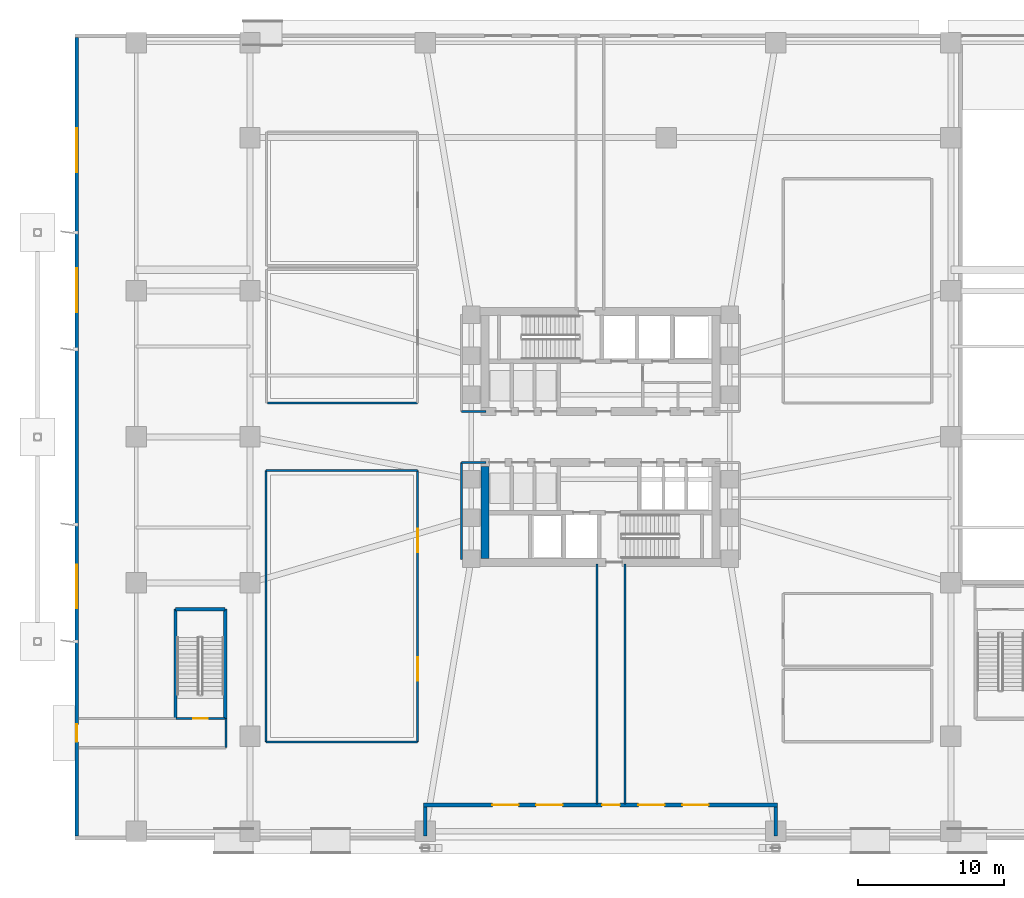
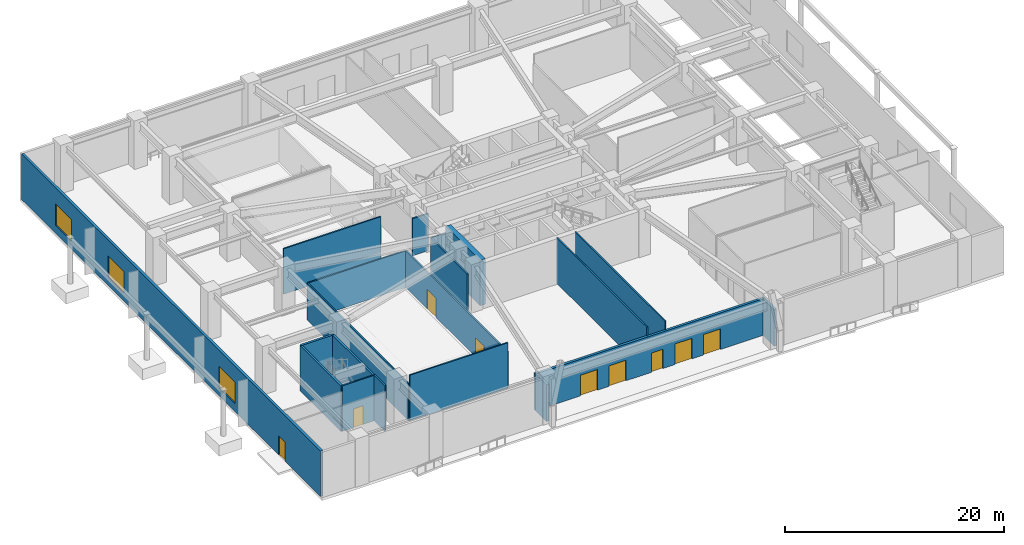
# One storey, part 11 of 20: 20 walls, 9 doors, 3 windows, 12 openings.
"""IFC4 building model written with IfcOpenShell, lengths in metres."""

import ifcopenshell
import ifcopenshell.guid

model = None  # the IFC model being written
_history = None  # IfcOwnerHistory: only IFC2X3 demands one
_inside = {}  # id of a spatial element -> (the spatial element, [elements in it])
_under = {}  # id of a project, library or spatial element -> (it, [spatial elements below it])
_declared = {}  # id of a project -> (the project, [libraries it declares])
_typed = {}  # id of a type object -> (the type object, [elements of that type])
_made_of = {}  # id of a material, layer set ... -> (it, [elements and type objects made of it])


def new_model(schema):
    """Start an empty IFC model of exactly this schema.

    Asked for "IFC4X3", IfcOpenShell would pick the latest addendum, in which some entities
    have other attributes; the version numbers below select the first issue.
    IFC2X3 requires an IfcOwnerHistory on every rooted entity: one is made here for all.
    """
    global model, _history
    if schema == "IFC4X3":
        model = ifcopenshell.file(schema_version=(4, 3, 0, 0))
    else:
        model = ifcopenshell.file(schema=schema)
    _inside.clear()
    _under.clear()
    _declared.clear()
    _typed.clear()
    _made_of.clear()
    _history = None
    if model.schema == "IFC2X3":
        org = make("IfcOrganization", Name="unknown")
        user = make(
            "IfcPersonAndOrganization",
            ThePerson=make("IfcPerson", FamilyName="unknown"),
            TheOrganization=org,
        )
        app = make(
            "IfcApplication",
            ApplicationDeveloper=org,
            Version="unknown",
            ApplicationFullName="unknown",
            ApplicationIdentifier="unknown",
        )
        _history = make(
            "IfcOwnerHistory",
            OwningUser=user,
            OwningApplication=app,
            ChangeAction="ADDED",
            CreationDate=0,
        )
    return model


def make(cls, **values):
    """One entity of the class cls with the attributes given. An attribute that is None is left unset."""
    return model.create_entity(
        cls, **{name: value for name, value in values.items() if value is not None}
    )


def rooted(cls, **values):
    """An entity with a GlobalId (a new one), such as an element, a storey or a relation."""
    return make(cls, GlobalId=ifcopenshell.guid.new(), OwnerHistory=_history, **values)


def si_unit(unit_type, name, prefix=None):
    """IfcSIUnit, for example si_unit("LENGTHUNIT", "METRE", prefix="MILLI")."""
    return make("IfcSIUnit", UnitType=unit_type, Prefix=prefix, Name=name)


def assignment(units):
    """IfcUnitAssignment: the units of a project."""
    return None if units is None else make("IfcUnitAssignment", Units=units)


def point(xyz):
    """IfcCartesianPoint."""
    return None if xyz is None else make("IfcCartesianPoint", Coordinates=xyz)


def direction(xyz):
    """IfcDirection."""
    return None if xyz is None else make("IfcDirection", DirectionRatios=xyz)


def frame(location, z_axis=None, x_axis=None):
    """IfcAxis2Placement3D, a coordinate frame: its origin and axes. An axis left out is left unset."""
    return make(
        "IfcAxis2Placement3D",
        Location=point(location),
        Axis=direction(z_axis),
        RefDirection=direction(x_axis),
    )


def frame_2d(location, x_axis=None):
    """IfcAxis2Placement2D, a coordinate frame in the plane: its origin and x axis."""
    return make(
        "IfcAxis2Placement2D", Location=point(location), RefDirection=direction(x_axis)
    )


def origin():
    """The frame at (0, 0, 0) with its axes left unset."""
    return frame((0.0, 0.0, 0.0))


def place(relative_to, where):
    """IfcLocalPlacement: puts the frame where relative to a parent placement (None: the world)."""
    return make(
        "IfcLocalPlacement", PlacementRelTo=relative_to, RelativePlacement=where
    )


def context(
    kind, dimensions, precision=None, world=None, true_north=None, identifier=None
):
    """IfcGeometricRepresentationContext, for example the 3D "Model" context."""
    return make(
        "IfcGeometricRepresentationContext",
        ContextIdentifier=identifier,
        ContextType=kind,
        CoordinateSpaceDimension=dimensions,
        Precision=precision,
        WorldCoordinateSystem=world,
        TrueNorth=true_north,
    )


def subcontext(parent, identifier, kind, view, scale=None):
    """IfcGeometricRepresentationSubContext, for example "Body" below "Model"."""
    return make(
        "IfcGeometricRepresentationSubContext",
        ContextIdentifier=identifier,
        ContextType=kind,
        ParentContext=parent,
        TargetScale=scale,
        TargetView=view,
    )


def project(units=None, contexts=None):
    """IfcProject with its units and contexts."""
    return rooted(
        "IfcProject",
        Name="project",
        RepresentationContexts=contexts,
        UnitsInContext=assignment(units),
    )


def spatial(cls, under=None, at=None, **own):
    """A site, building, storey or space (cls), placed at a placement, below another one or the project."""
    s = rooted(cls, ObjectPlacement=at, **own)
    if under is not None:
        _under.setdefault(under.id(), (under, []))[1].append(s)
    return s


def profile(cls, at=None, kind="AREA", **sizes):
    """A parametric profile (cls). Its sizes go by their IFC names, for example OverallWidth=200.0."""
    return make(cls, ProfileType=kind, Position=at, **sizes)


def rectangle(**sizes):
    """IfcRectangleProfileDef."""
    return profile("IfcRectangleProfileDef", **sizes)


def extrude(swept, where, along, depth):
    """IfcExtrudedAreaSolid: the profile swept, set in the frame where, extruded along a direction by depth."""
    return make(
        "IfcExtrudedAreaSolid",
        SweptArea=swept,
        Position=where,
        ExtrudedDirection=direction(along),
        Depth=depth,
    )


def shape(context_of_items, identifier, shape_type, items):
    """IfcShapeRepresentation: the items that make up one representation, for example the "Body"."""
    return make(
        "IfcShapeRepresentation",
        ContextOfItems=context_of_items,
        RepresentationIdentifier=identifier,
        RepresentationType=shape_type,
        Items=items,
    )


def material(Name=None, Category=None):
    """IfcMaterial."""
    return make("IfcMaterial", Name=Name, Category=Category)


def layer(
    of_material, thickness, ventilated=None, Name=None, Category=None, Priority=None
):
    """IfcMaterialLayer: one layer of a wall or slab, of a material (None: an air gap)."""
    return make(
        "IfcMaterialLayer",
        Material=of_material,
        LayerThickness=thickness,
        IsVentilated=ventilated,
        Name=Name,
        Category=Category,
        Priority=Priority,
    )


def layer_set(layers, Name=None):
    """IfcMaterialLayerSet."""
    return make("IfcMaterialLayerSet", MaterialLayers=layers, LayerSetName=Name)


def made_of(thing, what):
    """Note that an element or type object is made of a material, layer set ...; save() writes the relation."""
    if what is not None:
        _made_of.setdefault(what.id(), (what, []))[1].append(thing)
    return thing


def type_object(cls, material=None, **own):
    """A type object (cls), such as IfcWallType, which elements share."""
    return made_of(rooted(cls, **own), material)


def element(
    cls,
    number,
    at=None,
    inside=None,
    cuts=None,
    type_object=None,
    material=None,
    context=None,
    identifier="Body",
    shape_type=None,
    held_by="IfcProductDefinitionShape",
    body=None,
    shapes=None,
    **own,
):
    """One element of the class cls, such as IfcWall. Its Tag is "e" and its number.

    at: its placement. inside: the storey or other place that contains it. cuts: it is an
    opening in that element (IfcRelVoidsElement). A single representation is given by context,
    identifier, shape_type and body (its items); several are given by shapes. held_by: the class
    of the entity that holds the representations. save() writes the other relations.
    """
    e = rooted(cls, Tag="e%d" % number, ObjectPlacement=at, **own)
    if body is not None:
        shapes = [shape(context, identifier, shape_type, body)]
    if shapes is not None:
        e.Representation = make(held_by, Representations=shapes)
    if inside is not None:
        _inside.setdefault(inside.id(), (inside, []))[1].append(e)
    if cuts is not None:
        rooted(
            "IfcRelVoidsElement", RelatingBuildingElement=cuts, RelatedOpeningElement=e
        )
    if type_object is not None:
        _typed.setdefault(type_object.id(), (type_object, []))[1].append(e)
    return made_of(e, material)


def fill(opening, filler):
    """IfcRelFillsElement: the door or window that sits in an opening."""
    return rooted(
        "IfcRelFillsElement",
        RelatingOpeningElement=opening,
        RelatedBuildingElement=filler,
    )


def aggregate(whole, parts):
    """IfcRelAggregates: a whole, such as a stair, and the parts it consists of."""
    return rooted("IfcRelAggregates", RelatingObject=whole, RelatedObjects=parts)


def save(model, path):
    """Write the relations noted so far, then the file.

    IfcRelAggregates (storeys below a building ...), IfcRelContainedInSpatialStructure (elements
    in a storey), IfcRelDefinesByType, IfcRelAssociatesMaterial and IfcRelDeclares: one each for
    every whole, place, type object, material and project.
    """
    for whole, parts in _under.values():
        aggregate(whole, parts)
    for where, things in _inside.values():
        rooted(
            "IfcRelContainedInSpatialStructure",
            RelatedElements=things,
            RelatingStructure=where,
        )
    for kind, things in _typed.values():
        rooted("IfcRelDefinesByType", RelatedObjects=things, RelatingType=kind)
    for what, things in _made_of.values():
        rooted("IfcRelAssociatesMaterial", RelatedObjects=things, RelatingMaterial=what)
    for by, libraries in _declared.values():
        rooted("IfcRelDeclares", RelatingContext=by, RelatedDefinitions=libraries)
    model.write(path)


model = new_model("IFC4")

# Units and contexts
model_context = context("Model", 3, precision=1e-05, world=origin(), true_north=direction((0.0, 1.0)))
body_context = subcontext(model_context, "Body", "Model", "MODEL_VIEW")
ifc_project = project(units=[si_unit("LENGTHUNIT", "METRE"), si_unit("AREAUNIT", "SQUARE_METRE"), si_unit("VOLUMEUNIT", "CUBIC_METRE"), si_unit("PLANEANGLEUNIT", "RADIAN"), si_unit("MASSUNIT", "GRAM", prefix="KILO")], contexts=[model_context])

# Site, building, storey
site_placement = place(None, origin())
site = spatial("IfcSite", under=ifc_project, at=site_placement, CompositionType="ELEMENT")
building_placement = place(site_placement, origin())
building = spatial("IfcBuilding", under=site, at=building_placement, Name="Solmarez Civic Tower", CompositionType="ELEMENT")
storey_placement = place(building_placement, origin())
storey = spatial("IfcBuildingStorey", under=building, at=storey_placement, Name="L00", CompositionType="ELEMENT", Elevation=0.0)

# Wall
ifc_material_1 = material(Name="Concrete C60/75", Category="concrete")
ifc_layer_1 = layer(ifc_material_1, 0.550048828125)
ifc_layer_set_1 = layer_set([ifc_layer_1], Name="Concrete C60/75")
wall_type_1 = type_object("IfcWallType", Name="WALL-CORE-550", PredefinedType="SHEAR", material=ifc_layer_set_1)
wall_1_placement = place(storey_placement, frame((-7.89501953125, -8.31005859375, 0.0), z_axis=(0.0, 0.0, 1.0), x_axis=(0.0, 1.0, 0.0)))
element("IfcWall", 1, at=wall_1_placement, inside=storey, type_object=wall_type_1, Name="L00 Split-Core Structural Wall SCW-W-L00", PredefinedType="SHEAR", context=body_context, shape_type="SweptSolid", body=[
    extrude(rectangle(XDim=6.28515625, YDim=0.550048828125, at=frame_2d((3.142578125, 0.0))), origin(), (0.0, 0.0, 1.0), 5.080078125),
])

# Wall, openings, door, windows
ifc_material_2 = material(Name="Precast concrete C40/50", Category="concrete")
ifc_layer_2 = layer(ifc_material_2, 0.260009765625)
ifc_layer_set_2 = layer_set([ifc_layer_2], Name="Precast concrete C40/50")
wall_type_2 = type_object("IfcWallType", Name="WALL-EXT-260", PredefinedType="SOLIDWALL", material=ifc_layer_set_2)
wall_2_placement = place(storey_placement, frame((-35.8701171875, -27.340087890625, 0.0), z_axis=(0.0, 0.0, 1.0), x_axis=(0.0, 1.0, 0.0)))
wall_2 = element("IfcWall", 2, at=wall_2_placement, inside=storey, type_object=wall_type_2, Name="L00 West Exterior Precast Wall", PredefinedType="SOLIDWALL", context=body_context, shape_type="SweptSolid", body=[
    extrude(rectangle(XDim=54.68017578125, YDim=0.260009765625, at=frame_2d((27.340087890625, 0.0))), origin(), (0.0, 0.0, 1.0), 5.080078125),
])
opening_1_placement = place(wall_2_placement, frame((6.4599609375, 0.0, 0.0)))
opening_1 = element("IfcOpeningElement", 3, at=opening_1_placement, cuts=wall_2, Name="Opening D-03", PredefinedType="OPENING", context=body_context, shape_type="SweptSolid", body=[
    extrude(rectangle(XDim=1.199951171875, YDim=2.14990234375, at=frame_2d((0.60009765625, 1.074951171875))), frame((0.0, 0.139892578125, 0.0), z_axis=(0.0, -1.0, 0.0), x_axis=(1.0, 0.0, 0.0)), (0.0, 0.0, 1.0), 0.280029296875),
])
opening_2_placement = place(wall_2_placement, frame((15.60009765625, 0.0, 0.89990234375)))
opening_2 = element("IfcOpeningElement", 4, at=opening_2_placement, cuts=wall_2, Name="Opening W-15", PredefinedType="OPENING", context=body_context, shape_type="SweptSolid", body=[
    extrude(rectangle(XDim=3.0, YDim=2.39990234375, at=frame_2d((1.5, 1.199951171875))), frame((0.0, 0.139892578125, 0.0), z_axis=(0.0, -1.0, 0.0), x_axis=(1.0, 0.0, 0.0)), (0.0, 0.0, 1.0), 0.280029296875),
])
opening_3_placement = place(wall_2_placement, frame((35.8798828125, 0.0, 0.89990234375)))
opening_3 = element("IfcOpeningElement", 5, at=opening_3_placement, cuts=wall_2, Name="Opening W-15", PredefinedType="OPENING", context=body_context, shape_type="SweptSolid", body=[
    extrude(rectangle(XDim=3.0, YDim=2.39990234375, at=frame_2d((1.5, 1.199951171875))), frame((0.0, 0.139892578125, 0.0), z_axis=(0.0, -1.0, 0.0), x_axis=(1.0, 0.0, 0.0)), (0.0, 0.0, 1.0), 0.280029296875),
])
opening_4_placement = place(wall_2_placement, frame((45.47998046875, 0.0, 0.89990234375)))
opening_4 = element("IfcOpeningElement", 6, at=opening_4_placement, cuts=wall_2, Name="Opening W-15", PredefinedType="OPENING", context=body_context, shape_type="SweptSolid", body=[
    extrude(rectangle(XDim=3.0, YDim=2.39990234375, at=frame_2d((1.5, 1.199951171875))), frame((0.0, 0.139892578125, 0.0), z_axis=(0.0, -1.0, 0.0), x_axis=(1.0, 0.0, 0.0)), (0.0, 0.0, 1.0), 0.280029296875),
])
ifc_material_3 = material(Name="Stainless Steel Fire Exit Door", Category="steel")
door_type_1 = type_object("IfcDoorType", Name="DOOR-EXIT-1200", OperationType="NOTDEFINED", PredefinedType="DOOR", material=ifc_material_3)
door_1_placement = place(opening_1_placement, origin())
door_1 = element("IfcDoor", 7, at=door_1_placement, inside=storey, type_object=door_type_1, Name="L00 West Stair Final Exit Door", OperationType="SINGLE_SWING_LEFT", OverallHeight=2.14990234375, OverallWidth=1.199951171875, PredefinedType="DOOR", context=body_context, shape_type="SweptSolid", body=[
    extrude(rectangle(XDim=1.199951171875, YDim=2.14990234375, at=frame_2d((0.60009765625, 1.074951171875))), frame((0.0, 0.02490234375, 0.0), z_axis=(0.0, -1.0, 0.0), x_axis=(1.0, 0.0, 0.0)), (0.0, 0.0, 1.0), 0.050048828125),
])
fill(opening_1, door_1)
ifc_material_4 = material(Name="Solar Control Bronze-Tinted Insulating Glass", Category="glass")
window_type = type_object("IfcWindowType", Name="WIN-3000X2400", PartitioningType="SINGLE_PANEL", PredefinedType="WINDOW", material=ifc_material_4)
window_1_placement = place(opening_2_placement, origin())
window_1 = element("IfcWindow", 8, at=window_1_placement, inside=storey, type_object=window_type, Name="L00 Podium Facade Window 2", OverallHeight=2.39990234375, OverallWidth=3.0, PartitioningType="SINGLE_PANEL", PredefinedType="WINDOW", context=body_context, shape_type="SweptSolid", body=[
    extrude(rectangle(XDim=3.0, YDim=2.39990234375, at=frame_2d((1.5, 1.199951171875))), frame((0.0, 0.030029296875, 0.0), z_axis=(0.0, -1.0, 0.0), x_axis=(1.0, 0.0, 0.0)), (0.0, 0.0, 1.0), 0.06005859375),
])
fill(opening_2, window_1)
window_2_placement = place(opening_3_placement, origin())
window_2 = element("IfcWindow", 9, at=window_2_placement, inside=storey, type_object=window_type, Name="L00 Podium Facade Window 3", OverallHeight=2.39990234375, OverallWidth=3.0, PartitioningType="SINGLE_PANEL", PredefinedType="WINDOW", context=body_context, shape_type="SweptSolid", body=[
    extrude(rectangle(XDim=3.0, YDim=2.39990234375, at=frame_2d((1.5, 1.199951171875))), frame((0.0, 0.030029296875, 0.0), z_axis=(0.0, -1.0, 0.0), x_axis=(1.0, 0.0, 0.0)), (0.0, 0.0, 1.0), 0.06005859375),
])
fill(opening_3, window_2)
window_3_placement = place(opening_4_placement, origin())
window_3 = element("IfcWindow", 10, at=window_3_placement, inside=storey, type_object=window_type, Name="L00 Podium Facade Window 4", OverallHeight=2.39990234375, OverallWidth=3.0, PartitioningType="SINGLE_PANEL", PredefinedType="WINDOW", context=body_context, shape_type="SweptSolid", body=[
    extrude(rectangle(XDim=3.0, YDim=2.39990234375, at=frame_2d((1.5, 1.199951171875))), frame((0.0, 0.030029296875, 0.0), z_axis=(0.0, -1.0, 0.0), x_axis=(1.0, 0.0, 0.0)), (0.0, 0.0, 1.0), 0.06005859375),
])
fill(opening_4, window_3)

# Wall
wall_3_placement = place(storey_placement, frame((12.0, -27.340087890625, 0.0), z_axis=(0.0, 0.0, 1.0), x_axis=(0.0, 1.0, 0.0)))
element("IfcWall", 11, at=wall_3_placement, inside=storey, type_object=wall_type_2, Name="L00 South Arch Podium Wall EW-AE-L00", PredefinedType="SOLIDWALL", context=body_context, shape_type="SweptSolid", body=[
    extrude(rectangle(XDim=2.010009765625, YDim=0.260009765625, at=frame_2d((1.0048828125, 0.0))), origin(), (0.0, 0.0, 1.0), 4.090087890625),
])

# Wall, openings, doors
wall_4_placement = place(storey_placement, frame((12.1298828125, -25.199951171875, 0.0), z_axis=(0.0, 0.0, 1.0), x_axis=(-1.0, 0.0, 0.0)))
wall_4 = element("IfcWall", 12, at=wall_4_placement, inside=storey, type_object=wall_type_2, Name="L00 South Arch Podium Wall EW-ARCH-L00", PredefinedType="SOLIDWALL", context=body_context, shape_type="SweptSolid", body=[
    extrude(rectangle(XDim=24.259765625, YDim=0.260009765625, at=frame_2d((12.1298828125, 0.0))), origin(), (0.0, 0.0, 1.0), 4.090087890625),
])
opening_5_placement = place(wall_4_placement, frame((10.81005859375, 0.0, 0.0)))
opening_5 = element("IfcOpeningElement", 13, at=opening_5_placement, cuts=wall_4, Name="Opening D-03", PredefinedType="OPENING", context=body_context, shape_type="SweptSolid", body=[
    extrude(rectangle(XDim=1.199951171875, YDim=2.14990234375, at=frame_2d((0.60009765625, 1.074951171875))), frame((0.0, 0.139892578125, 0.0), z_axis=(0.0, -1.0, 0.0), x_axis=(1.0, 0.0, 0.0)), (0.0, 0.0, 1.0), 0.280029296875),
])
opening_6_placement = place(wall_4_placement, frame((4.72998046875, 0.0, 0.0)))
opening_6 = element("IfcOpeningElement", 14, at=opening_6_placement, cuts=wall_4, Name="Opening D-01", PredefinedType="OPENING", context=body_context, shape_type="SweptSolid", body=[
    extrude(rectangle(XDim=1.800048828125, YDim=2.300048828125, at=frame_2d((0.89990234375, 1.14990234375))), frame((0.0, 0.139892578125, 0.0), z_axis=(0.0, -1.0, 0.0), x_axis=(1.0, 0.0, 0.0)), (0.0, 0.0, 1.0), 0.280029296875),
])
opening_7_placement = place(wall_4_placement, frame((7.72998046875, 0.0, 0.0)))
opening_7 = element("IfcOpeningElement", 15, at=opening_7_placement, cuts=wall_4, Name="Opening D-01", PredefinedType="OPENING", context=body_context, shape_type="SweptSolid", body=[
    extrude(rectangle(XDim=1.800048828125, YDim=2.300048828125, at=frame_2d((0.89990234375, 1.14990234375))), frame((0.0, 0.139892578125, 0.0), z_axis=(0.0, -1.0, 0.0), x_axis=(1.0, 0.0, 0.0)), (0.0, 0.0, 1.0), 0.280029296875),
])
opening_8_placement = place(wall_4_placement, frame((14.72998046875, 0.0, 0.0)))
opening_8 = element("IfcOpeningElement", 16, at=opening_8_placement, cuts=wall_4, Name="Opening D-01", PredefinedType="OPENING", context=body_context, shape_type="SweptSolid", body=[
    extrude(rectangle(XDim=1.800048828125, YDim=2.300048828125, at=frame_2d((0.89990234375, 1.14990234375))), frame((0.0, 0.139892578125, 0.0), z_axis=(0.0, -1.0, 0.0), x_axis=(1.0, 0.0, 0.0)), (0.0, 0.0, 1.0), 0.280029296875),
])
opening_9_placement = place(wall_4_placement, frame((17.72998046875, 0.0, 0.0)))
opening_9 = element("IfcOpeningElement", 17, at=opening_9_placement, cuts=wall_4, Name="Opening D-01", PredefinedType="OPENING", context=body_context, shape_type="SweptSolid", body=[
    extrude(rectangle(XDim=1.800048828125, YDim=2.300048828125, at=frame_2d((0.89990234375, 1.14990234375))), frame((0.0, 0.139892578125, 0.0), z_axis=(0.0, -1.0, 0.0), x_axis=(1.0, 0.0, 0.0)), (0.0, 0.0, 1.0), 0.280029296875),
])
door_2_placement = place(opening_5_placement, origin())
door_2 = element("IfcDoor", 18, at=door_2_placement, inside=storey, type_object=door_type_1, Name="L00 South Stair Final Exit Door", OperationType="SINGLE_SWING_RIGHT", OverallHeight=2.14990234375, OverallWidth=1.199951171875, PredefinedType="DOOR", context=body_context, shape_type="SweptSolid", body=[
    extrude(rectangle(XDim=1.199951171875, YDim=2.14990234375, at=frame_2d((0.60009765625, 1.074951171875))), frame((0.0, 0.02490234375, 0.0), z_axis=(0.0, -1.0, 0.0), x_axis=(1.0, 0.0, 0.0)), (0.0, 0.0, 1.0), 0.050048828125),
])
fill(opening_5, door_2)
ifc_material_5 = material(Name="Bronze Anodised Aluminium Glazed Entrance Door", Category="aluminium")
door_type_2 = type_object("IfcDoorType", Name="DOOR-EXT-1800", OperationType="NOTDEFINED", PredefinedType="DOOR", material=ifc_material_5)
door_3_placement = place(opening_6_placement, origin())
door_3 = element("IfcDoor", 19, at=door_3_placement, inside=storey, type_object=door_type_2, Name="L00 South Civic Arch Entrance Door East", OperationType="SINGLE_SWING_LEFT", OverallHeight=2.300048828125, OverallWidth=1.800048828125, PredefinedType="DOOR", context=body_context, shape_type="SweptSolid", body=[
    extrude(rectangle(XDim=1.800048828125, YDim=2.300048828125, at=frame_2d((0.89990234375, 1.14990234375))), frame((0.0, 0.02490234375, 0.0), z_axis=(0.0, -1.0, 0.0), x_axis=(1.0, 0.0, 0.0)), (0.0, 0.0, 1.0), 0.050048828125),
])
fill(opening_6, door_3)
door_4_placement = place(opening_7_placement, origin())
door_4 = element("IfcDoor", 20, at=door_4_placement, inside=storey, type_object=door_type_2, Name="L00 South Civic Arch Central East Exit Door", OperationType="SINGLE_SWING_LEFT", OverallHeight=2.300048828125, OverallWidth=1.800048828125, PredefinedType="DOOR", context=body_context, shape_type="SweptSolid", body=[
    extrude(rectangle(XDim=1.800048828125, YDim=2.300048828125, at=frame_2d((0.89990234375, 1.14990234375))), frame((0.0, 0.02490234375, 0.0), z_axis=(0.0, -1.0, 0.0), x_axis=(1.0, 0.0, 0.0)), (0.0, 0.0, 1.0), 0.050048828125),
])
fill(opening_7, door_4)
door_5_placement = place(opening_8_placement, origin())
door_5 = element("IfcDoor", 21, at=door_5_placement, inside=storey, type_object=door_type_2, Name="L00 South Civic Arch Central West Exit Door", OperationType="SINGLE_SWING_RIGHT", OverallHeight=2.300048828125, OverallWidth=1.800048828125, PredefinedType="DOOR", context=body_context, shape_type="SweptSolid", body=[
    extrude(rectangle(XDim=1.800048828125, YDim=2.300048828125, at=frame_2d((0.89990234375, 1.14990234375))), frame((0.0, 0.02490234375, 0.0), z_axis=(0.0, -1.0, 0.0), x_axis=(1.0, 0.0, 0.0)), (0.0, 0.0, 1.0), 0.050048828125),
])
fill(opening_8, door_5)
door_6_placement = place(opening_9_placement, origin())
door_6 = element("IfcDoor", 22, at=door_6_placement, inside=storey, type_object=door_type_2, Name="L00 South Civic Arch Entrance Door West", OperationType="SINGLE_SWING_RIGHT", OverallHeight=2.300048828125, OverallWidth=1.800048828125, PredefinedType="DOOR", context=body_context, shape_type="SweptSolid", body=[
    extrude(rectangle(XDim=1.800048828125, YDim=2.300048828125, at=frame_2d((0.89990234375, 1.14990234375))), frame((0.0, 0.02490234375, 0.0), z_axis=(0.0, -1.0, 0.0), x_axis=(1.0, 0.0, 0.0)), (0.0, 0.0, 1.0), 0.050048828125),
])
fill(opening_9, door_6)

# Wall
wall_5_placement = place(storey_placement, frame((-12.0, -25.330078125, 0.0), z_axis=(0.0, 0.0, 1.0), x_axis=(0.0, -1.0, 0.0)))
element("IfcWall", 23, at=wall_5_placement, inside=storey, type_object=wall_type_2, Name="L00 South Arch Podium Wall EW-AW-L00", PredefinedType="SOLIDWALL", context=body_context, shape_type="SweptSolid", body=[
    extrude(rectangle(XDim=2.010009765625, YDim=0.260009765625, at=frame_2d((1.0048828125, 0.0))), origin(), (0.0, 0.0, 1.0), 4.090087890625),
])

# Wall, opening, door
ifc_material_6 = material(Name="Gypsum Board Acoustic Steel-Stud Partition", Category="steel")
ifc_layer_3 = layer(ifc_material_6, 0.14990234375)
ifc_layer_set_3 = layer_set([ifc_layer_3], Name="Gypsum Board Acoustic Steel-Stud Partition")
wall_type_3 = type_object("IfcWallType", Name="WALL-INT-FIRE-150", PredefinedType="PARTITIONING", material=ifc_layer_set_3)
wall_6_placement = place(storey_placement, frame((-29.080078125, -19.280029296875, 0.0), z_axis=(0.0, 0.0, 1.0), x_axis=(1.0, 0.0, 0.0)))
wall_6 = element("IfcWall", 24, at=wall_6_placement, inside=storey, type_object=wall_type_3, Name="L00 Podium Exit Stair STP1 Wall", PredefinedType="PARTITIONING", context=body_context, shape_type="SweptSolid", body=[
    extrude(rectangle(XDim=3.360107421875, YDim=0.14990234375, at=frame_2d((1.68017578125, 0.0))), origin(), (0.0, 0.0, 1.0), 5.080078125),
])
opening_10_placement = place(wall_6_placement, frame((1.179931640625, 0.0, 0.0)))
opening_10 = element("IfcOpeningElement", 25, at=opening_10_placement, cuts=wall_6, Name="Opening D-05", PredefinedType="OPENING", context=body_context, shape_type="SweptSolid", body=[
    extrude(rectangle(XDim=1.0, YDim=2.10009765625, at=frame_2d((0.5, 1.050048828125))), frame((0.0, 0.0849609375, 0.0), z_axis=(0.0, -1.0, 0.0), x_axis=(1.0, 0.0, 0.0)), (0.0, 0.0, 1.0), 0.169921875),
])
ifc_material_7 = material(Name="Fire-Rated Stairwell Exit Door", Category="wood")
door_type_3 = type_object("IfcDoorType", Name="DOOR-FD90-1000", OperationType="NOTDEFINED", PredefinedType="DOOR", material=ifc_material_7)
door_7_placement = place(opening_10_placement, origin())
door_7 = element("IfcDoor", 26, at=door_7_placement, inside=storey, type_object=door_type_3, Name="L00 Podium Exit Stair STP1 Door", OperationType="SINGLE_SWING_RIGHT", OverallHeight=2.10009765625, OverallWidth=1.0, PredefinedType="DOOR", context=body_context, shape_type="SweptSolid", body=[
    extrude(rectangle(XDim=1.0, YDim=2.10009765625, at=frame_2d((0.5, 1.050048828125))), frame((0.0, 0.02490234375, 0.0), z_axis=(0.0, -1.0, 0.0), x_axis=(1.0, 0.0, 0.0)), (0.0, 0.0, 1.0), 0.050048828125),
])
fill(opening_10, door_7)

# Walls
wall_7_placement = place(storey_placement, frame((-7.85009765625, 1.75, 0.0), z_axis=(0.0, 0.0, 1.0), x_axis=(-1.0, 0.0, 0.0)))
element("IfcWall", 27, at=wall_7_placement, inside=storey, type_object=wall_type_3, Name="L00 Interior Partition CHW-L00-WN3", PredefinedType="PARTITIONING", context=body_context, shape_type="SweptSolid", body=[
    extrude(rectangle(XDim=1.669921875, YDim=0.14990234375, at=frame_2d((0.8349609375, 0.0))), origin(), (0.0, 0.0, 1.0), 4.14501953125),
])
wall_8_placement = place(storey_placement, frame((-9.52001953125, -8.3798828125, 0.0), z_axis=(0.0, 0.0, 1.0), x_axis=(0.0, 1.0, 0.0)))
element("IfcWall", 28, at=wall_8_placement, inside=storey, type_object=wall_type_3, Name="L00 Interior Partition CHW-L00-WS1", PredefinedType="PARTITIONING", context=body_context, shape_type="SweptSolid", body=[
    extrude(rectangle(XDim=6.6298828125, YDim=0.14990234375, at=frame_2d((3.31494140625, 0.0))), origin(), (0.0, 0.0, 1.0), 4.090087890625),
])
wall_9_placement = place(storey_placement, frame((-7.85009765625, -1.75, 0.0), z_axis=(0.0, 0.0, 1.0), x_axis=(-1.0, 0.0, 0.0)))
element("IfcWall", 29, at=wall_9_placement, inside=storey, type_object=wall_type_3, Name="L00 Interior Partition CHW-L00-WS3", PredefinedType="PARTITIONING", context=body_context, shape_type="SweptSolid", body=[
    extrude(rectangle(XDim=1.669921875, YDim=0.14990234375, at=frame_2d((0.8349609375, 0.0))), origin(), (0.0, 0.0, 1.0), 4.14501953125),
])
for number, where, z_axis, x_axis, name in (
    (30, (-0.22998046875, -25.14990234375, 0.0), (0.0, 0.0, 1.0), (0.0, 1.0, 0.0), "L00 Interior Partition EPW-SW-L00"),
    (31, (1.679931640625, -25.14990234375, 0.0), (0.0, 0.0, 1.0), (0.0, 1.0, 0.0), "L00 Interior Partition EPW-SE-L00"),
):
    element("IfcWall", number, at=place(storey_placement, frame(where, z_axis=z_axis, x_axis=x_axis)), inside=storey, type_object=wall_type_3, Name=name, PredefinedType="PARTITIONING", context=body_context, shape_type="SweptSolid", body=[
        extrude(rectangle(XDim=16.449951171875, YDim=0.14990234375, at=frame_2d((8.22509765625, 0.0))), origin(), (0.0, 0.0, 1.0), 5.080078125),
    ])
wall_10_placement = place(storey_placement, frame((-25.639892578125, -21.280029296875, 0.0), z_axis=(0.0, 0.0, 1.0), x_axis=(0.0, 1.0, 0.0)))
element("IfcWall", 32, at=wall_10_placement, inside=storey, type_object=wall_type_3, Name="L00 Interior Partition EPW-WE-L00", PredefinedType="PARTITIONING", context=body_context, shape_type="SweptSolid", body=[
    extrude(rectangle(XDim=2.0, YDim=0.14990234375, at=frame_2d((1.0, 0.0))), origin(), (0.0, 0.0, 1.0), 5.080078125),
])
wall_11_placement = place(storey_placement, frame((-22.800048828125, 2.320068359375, 0.0), z_axis=(0.0, 0.0, 1.0), x_axis=(1.0, 0.0, 0.0)))
element("IfcWall", 33, at=wall_11_placement, inside=storey, type_object=wall_type_3, Name="L00 Interior Partition PT-L00-REG1-S", PredefinedType="PARTITIONING", context=body_context, shape_type="SweptSolid", body=[
    extrude(rectangle(XDim=10.280029296875, YDim=0.14990234375, at=frame_2d((5.14013671875, 0.0))), origin(), (0.0, 0.0, 1.0), 5.080078125),
])

# Wall, openings, doors
ifc_layer_4 = layer(ifc_material_6, 0.14501953125)
ifc_layer_set_4 = layer_set([ifc_layer_4], Name="Gypsum Board Acoustic Steel-Stud Partition")
wall_type_4 = type_object("IfcWallType", Name="WALL-INT-PART-150", PredefinedType="PARTITIONING", material=ifc_layer_set_4)
wall_12_placement = place(storey_placement, frame((-12.52001953125, -2.300048828125, 0.0), z_axis=(0.0, 0.0, 1.0), x_axis=(0.0, -1.0, 0.0)))
wall_12 = element("IfcWall", 34, at=wall_12_placement, inside=storey, type_object=wall_type_4, Name="L00 Interior Partition PT-L00-PHALL-E", PredefinedType="PARTITIONING", context=body_context, shape_type="SweptSolid", body=[
    extrude(rectangle(XDim=18.599853515625, YDim=0.14501953125, at=frame_2d((9.2998046875, 0.0))), origin(), (0.0, 0.0, 1.0), 4.090087890625),
])
opening_11_placement = place(wall_12_placement, frame((12.800048828125, 0.0, 0.0)))
opening_11 = element("IfcOpeningElement", 35, at=opening_11_placement, cuts=wall_12, Name="Opening D-02", PredefinedType="OPENING", context=body_context, shape_type="SweptSolid", body=[
    extrude(rectangle(XDim=1.60009765625, YDim=2.14990234375, at=frame_2d((0.800048828125, 1.074951171875))), frame((0.0, 0.08251953125, 0.0), z_axis=(0.0, -1.0, 0.0), x_axis=(1.0, 0.0, 0.0)), (0.0, 0.0, 1.0), 0.1650390625),
])
opening_12_placement = place(wall_12_placement, frame((4.0, 0.0, 0.0)))
opening_12 = element("IfcOpeningElement", 36, at=opening_12_placement, cuts=wall_12, Name="Opening D-02", PredefinedType="OPENING", context=body_context, shape_type="SweptSolid", body=[
    extrude(rectangle(XDim=1.60009765625, YDim=2.14990234375, at=frame_2d((0.800048828125, 1.074951171875))), frame((0.0, 0.08251953125, 0.0), z_axis=(0.0, -1.0, 0.0), x_axis=(1.0, 0.0, 0.0)), (0.0, 0.0, 1.0), 0.1650390625),
])
ifc_material_8 = material(Name="Timber Acoustic Double-Width Fire Door", Category="wood")
door_type_4 = type_object("IfcDoorType", Name="DOOR-INT-1600", OperationType="NOTDEFINED", PredefinedType="DOOR", material=ifc_material_8)
door_8_placement = place(opening_11_placement, origin())
door_8 = element("IfcDoor", 37, at=door_8_placement, inside=storey, type_object=door_type_4, Name="L00 Public Service Hall South Door", OperationType="SINGLE_SWING_LEFT", OverallHeight=2.14990234375, OverallWidth=1.60009765625, PredefinedType="DOOR", context=body_context, shape_type="SweptSolid", body=[
    extrude(rectangle(XDim=1.60009765625, YDim=2.14990234375, at=frame_2d((0.800048828125, 1.074951171875))), frame((0.0, 0.02490234375, 0.0), z_axis=(0.0, -1.0, 0.0), x_axis=(1.0, 0.0, 0.0)), (0.0, 0.0, 1.0), 0.050048828125),
])
fill(opening_11, door_8)
door_9_placement = place(opening_12_placement, origin())
door_9 = element("IfcDoor", 38, at=door_9_placement, inside=storey, type_object=door_type_4, Name="L00 Public Service Hall North Door", OperationType="SINGLE_SWING_RIGHT", OverallHeight=2.14990234375, OverallWidth=1.60009765625, PredefinedType="DOOR", context=body_context, shape_type="SweptSolid", body=[
    extrude(rectangle(XDim=1.60009765625, YDim=2.14990234375, at=frame_2d((0.800048828125, 1.074951171875))), frame((0.0, 0.02490234375, 0.0), z_axis=(0.0, -1.0, 0.0), x_axis=(1.0, 0.0, 0.0)), (0.0, 0.0, 1.0), 0.050048828125),
])
fill(opening_12, door_9)

# Walls
wall_13_placement = place(storey_placement, frame((-22.89990234375, -2.300048828125, 0.0), z_axis=(0.0, 0.0, 1.0), x_axis=(1.0, 0.0, 0.0)))
element("IfcWall", 39, at=wall_13_placement, inside=storey, type_object=wall_type_4, Name="L00 Interior Partition PT-L00-PHALL-N", PredefinedType="PARTITIONING", context=body_context, shape_type="SweptSolid", body=[
    extrude(rectangle(XDim=10.3798828125, YDim=0.14501953125, at=frame_2d((5.18994140625, 0.0))), origin(), (0.0, 0.0, 1.0), 4.090087890625),
])
wall_14_placement = place(storey_placement, frame((-22.89990234375, -20.89990234375, 0.0), z_axis=(0.0, 0.0, 1.0), x_axis=(0.0, 1.0, 0.0)))
element("IfcWall", 40, at=wall_14_placement, inside=storey, type_object=wall_type_4, Name="L00 Interior Partition PT-L00-PHALL-W", PredefinedType="PARTITIONING", context=body_context, shape_type="SweptSolid", body=[
    extrude(rectangle(XDim=18.599853515625, YDim=0.14501953125, at=frame_2d((9.2998046875, 0.0))), origin(), (0.0, 0.0, 1.0), 4.090087890625),
])
wall_15_placement = place(storey_placement, frame((-22.89990234375, -20.89990234375, 0.0), z_axis=(0.0, 0.0, 1.0), x_axis=(1.0, 0.0, 0.0)))
element("IfcWall", 41, at=wall_15_placement, inside=storey, type_object=wall_type_4, Name="L00 Interior Partition PT-L00-PHALL-S", PredefinedType="PARTITIONING", context=body_context, shape_type="SweptSolid", body=[
    extrude(rectangle(XDim=10.3798828125, YDim=0.14501953125, at=frame_2d((5.18994140625, 0.0))), origin(), (0.0, 0.0, 1.0), 5.080078125),
])
ifc_material_9 = material(Name="Concrete C50/60", Category="concrete")
ifc_layer_5 = layer(ifc_material_9, 0.300048828125)
ifc_layer_set_5 = layer_set([ifc_layer_5], Name="Concrete C50/60")
wall_type_5 = type_object("IfcWallType", Name="WALL-STR-300", PredefinedType="SOLIDWALL", material=ifc_layer_set_5)
for number, where, z_axis, x_axis, name in (
    (42, (-29.10009765625, -19.300048828125, 0.0), (0.0, 0.0, 1.0), (0.0, 1.0, 0.0), "L00 Podium Stair Structural Wall STP1-W"),
    (43, (-25.699951171875, -19.300048828125, 0.0), (0.0, 0.0, 1.0), (0.0, 1.0, 0.0), "L00 Podium Stair Structural Wall STP1-E"),
):
    element("IfcWall", number, at=place(storey_placement, frame(where, z_axis=z_axis, x_axis=x_axis)), inside=storey, type_object=wall_type_5, Name=name, PredefinedType="SOLIDWALL", context=body_context, shape_type="SweptSolid", body=[
        extrude(rectangle(XDim=7.5, YDim=0.219970703125, at=frame_2d((3.75, 0.0))), origin(), (0.0, 0.0, 1.0), 5.080078125),
    ])
wall_16_placement = place(storey_placement, frame((-29.10009765625, -11.800048828125, 0.0), z_axis=(0.0, 0.0, 1.0), x_axis=(1.0, 0.0, 0.0)))
element("IfcWall", 44, at=wall_16_placement, inside=storey, type_object=wall_type_5, Name="L00 Podium Stair Structural Wall STP1-N", PredefinedType="SOLIDWALL", context=body_context, shape_type="SweptSolid", body=[
    extrude(rectangle(XDim=3.400146484375, YDim=0.219970703125, at=frame_2d((1.7001953125, 0.0))), origin(), (0.0, 0.0, 1.0), 5.080078125),
])

save(model, "model.ifc")
